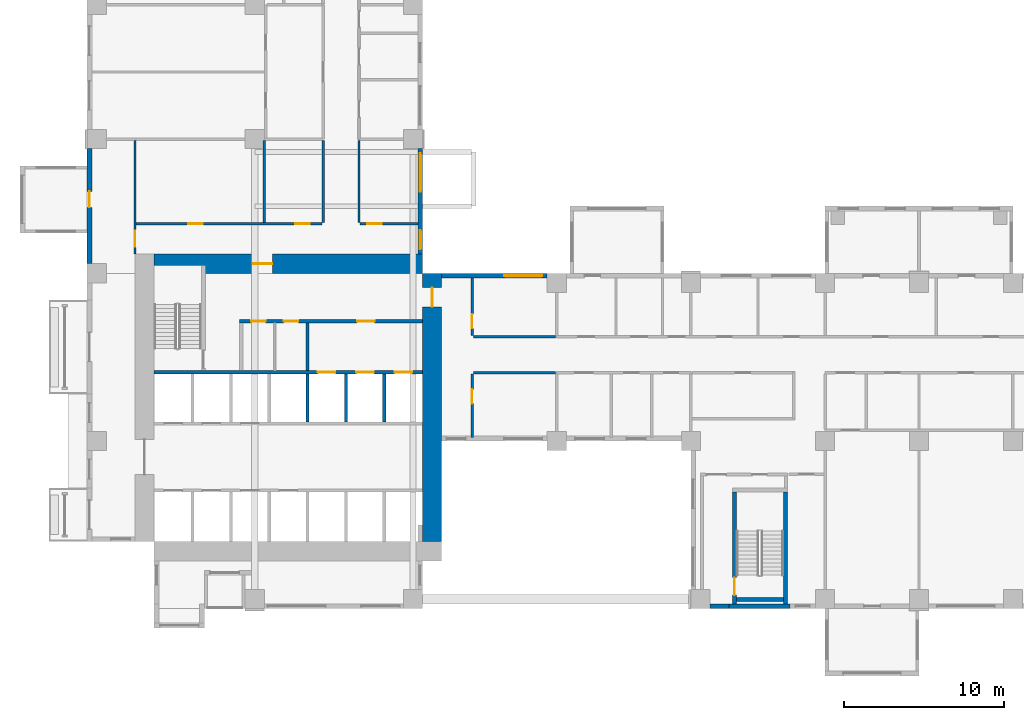
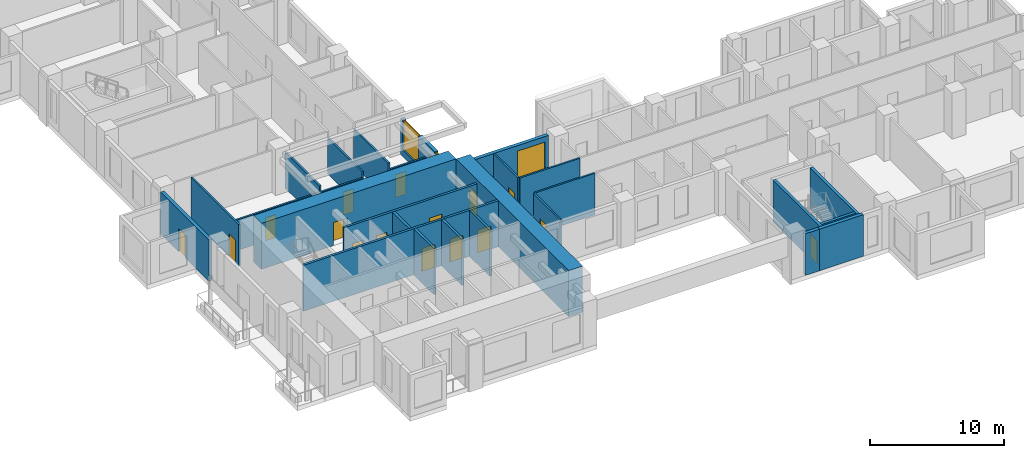
# One storey, part 3 of 14: 26 walls, 16 doors, 3 windows, 19 openings.
"""IFC4 building model written with IfcOpenShell, lengths in metres."""

from ifc_helpers import new_model, si_unit, direction, frame, frame_2d, origin, place, context, subcontext, project, spatial, rectangle, extrude, source, transform, mapped, material, layer, layer_set, type_object, element, fill, save


model = new_model("IFC4")

# Units and contexts
model_context = context("Model", 3, precision=1e-05, world=origin(), true_north=direction((0.0, 1.0)))
body_context = subcontext(model_context, "Body", "Model", "MODEL_VIEW")
ifc_project = project(units=[si_unit("LENGTHUNIT", "METRE"), si_unit("AREAUNIT", "SQUARE_METRE"), si_unit("VOLUMEUNIT", "CUBIC_METRE"), si_unit("PLANEANGLEUNIT", "RADIAN"), si_unit("MASSUNIT", "GRAM", prefix="KILO")], contexts=[model_context])

# Site, building, storey
site_placement = place(None, origin())
site = spatial("IfcSite", under=ifc_project, at=site_placement, CompositionType="ELEMENT")
building_placement = place(site_placement, origin())
building = spatial("IfcBuilding", under=site, at=building_placement, Name="Aurelian Terraces", CompositionType="ELEMENT")
storey_placement = place(building_placement, frame((0.0, 0.0, 57.3)))
storey = spatial("IfcBuildingStorey", under=building, at=storey_placement, Name="L11", CompositionType="ELEMENT", Elevation=57.3)

# Wall, openings, windows
ifc_material_1 = material(Name="Terracotta rainscreen cladding", Category="masonry")
ifc_layer_1 = layer(ifc_material_1, 0.3)
ifc_layer_set_1 = layer_set([ifc_layer_1], Name="EW-300")
wall_type_1 = type_object("IfcWallType", Name="EW-300", PredefinedType="STANDARD", material=ifc_layer_set_1)
wall_1_placement = place(storey_placement, frame((20.85, 22.2, 0.0), z_axis=(0.0, 0.0, 1.0), x_axis=(0.0, 1.0, 0.0)))
wall_1 = element("IfcWall", 1, at=wall_1_placement, inside=storey, type_object=wall_type_1, Name="External wall L11 F12.25", PredefinedType="STANDARD", context=body_context, shape_type="SweptSolid", body=[
    extrude(rectangle(XDim=6.6, YDim=0.3, at=frame_2d((3.3, 0.0))), origin(), (0.0, 0.0, 1.0), 3.3),
])
shared_shape_1 = source(origin(), body_context, "Body", "SweptSolid", [
    extrude(rectangle(XDim=1.2, YDim=2.7, at=frame_2d((0.6, 1.35))), frame((0.0, 0.16, 0.0), z_axis=(0.0, -1.0, 0.0), x_axis=(1.0, 0.0, 0.0)), (0.0, 0.0, 1.0), 0.32),
])
opening_1_placement = place(wall_1_placement, frame((0.3, 0.0, 0.6)))
opening_1 = element("IfcOpeningElement", 2, at=opening_1_placement, cuts=wall_1, Name="Opening W1227", PredefinedType="OPENING", context=body_context, shape_type="MappedRepresentation", body=[
    mapped(shared_shape_1, transform((0.0, 0.0, 0.0), scale=1.0)),
])
shared_shape_2 = source(origin(), body_context, "Body", "SweptSolid", [
    extrude(rectangle(XDim=2.4, YDim=2.7, at=frame_2d((1.2, 1.35))), frame((0.0, 0.16, 0.0), z_axis=(0.0, -1.0, 0.0), x_axis=(1.0, 0.0, 0.0)), (0.0, 0.0, 1.0), 0.32),
])
opening_2_placement = place(wall_1_placement, frame((3.9, 0.0, 0.6)))
opening_2 = element("IfcOpeningElement", 3, at=opening_2_placement, cuts=wall_1, Name="Opening W2427", PredefinedType="OPENING", context=body_context, shape_type="MappedRepresentation", body=[
    mapped(shared_shape_2, transform((0.0, 0.0, 0.0), scale=1.0)),
])
ifc_material_2 = material(Name="Clear glazing", Category="glass")
window_type_1 = type_object("IfcWindowType", Name="W-2400x2700", PartitioningType="SINGLE_PANEL", PredefinedType="WINDOW", material=ifc_material_2)
shared_shape_3 = source(origin(), body_context, "Body", "SweptSolid", [
    extrude(rectangle(XDim=2.4, YDim=2.7, at=frame_2d((1.2, 1.35))), frame((0.0, 0.03, 0.0), z_axis=(0.0, -1.0, 0.0), x_axis=(1.0, 0.0, 0.0)), (0.0, 0.0, 1.0), 0.06),
])
window_1_placement = place(opening_2_placement, origin())
window_1 = element("IfcWindow", 4, at=window_1_placement, inside=storey, type_object=window_type_1, Name="Window L11 L11-F12-25-1", OverallHeight=2.7, OverallWidth=2.4, PartitioningType="SINGLE_PANEL", PredefinedType="WINDOW", context=body_context, shape_type="MappedRepresentation", body=[
    mapped(shared_shape_3, transform((0.0, 0.0, 0.0), scale=1.0)),
])
fill(opening_2, window_1)
window_type_2 = type_object("IfcWindowType", Name="W-1200x2700", PartitioningType="SINGLE_PANEL", PredefinedType="WINDOW", material=ifc_material_2)
shared_shape_4 = source(origin(), body_context, "Body", "SweptSolid", [
    extrude(rectangle(XDim=1.2, YDim=2.7, at=frame_2d((0.6, 1.35))), frame((0.0, 0.03, 0.0), z_axis=(0.0, -1.0, 0.0), x_axis=(1.0, 0.0, 0.0)), (0.0, 0.0, 1.0), 0.06),
])
window_2_placement = place(opening_1_placement, origin())
window_2 = element("IfcWindow", 5, at=window_2_placement, inside=storey, type_object=window_type_2, Name="Window L11 L11-F12-25-0", OverallHeight=2.7, OverallWidth=1.2, PartitioningType="SINGLE_PANEL", PredefinedType="WINDOW", context=body_context, shape_type="MappedRepresentation", body=[
    mapped(shared_shape_4, transform((0.0, 0.0, 0.0), scale=1.0)),
])
fill(opening_1, window_2)

# Wall, opening, door
ifc_material_3 = material(Name="Gypsum board on steel studs", Category="steel")
ifc_layer_2 = layer(ifc_material_3, 0.15)
ifc_layer_set_2 = layer_set([ifc_layer_2], Name="Partition 150")
wall_type_2 = type_object("IfcWallType", Name="Partition 150", PredefinedType="PARTITIONING", material=ifc_layer_set_2)
wall_2_placement = place(storey_placement, frame((24.1, 14.7, 0.0), z_axis=(0.0, 0.0, 1.0), x_axis=(0.0, -1.0, 0.0)))
wall_2 = element("IfcWall", 6, at=wall_2_placement, inside=storey, type_object=wall_type_2, Name="Partition", PredefinedType="PARTITIONING", context=body_context, shape_type="SweptSolid", body=[
    extrude(rectangle(XDim=3.995, YDim=0.15, at=frame_2d((1.9975, 0.0))), origin(), (0.0, 0.0, 1.0), 3.8),
])
shared_shape_5 = source(origin(), body_context, "Body", "SweptSolid", [
    extrude(rectangle(XDim=0.9, YDim=2.1, at=frame_2d((0.45, 1.05))), frame((0.0, 0.085, 0.0), z_axis=(0.0, -1.0, 0.0), x_axis=(1.0, 0.0, 0.0)), (0.0, 0.0, 1.0), 0.17),
])
opening_3_placement = place(wall_2_placement, frame((0.9625, 0.0, 0.0)))
opening_3 = element("IfcOpeningElement", 7, at=opening_3_placement, cuts=wall_2, Name="Opening 711001", PredefinedType="OPENING", context=body_context, shape_type="MappedRepresentation", body=[
    mapped(shared_shape_5, transform((0.0, 0.0, 0.0), scale=1.0)),
])
ifc_material_4 = material(Name="Timber door leaf", Category="wood")
door_type_1 = type_object("IfcDoorType", Name="Room door 900x2100 right", OperationType="SINGLE_SWING_RIGHT", PredefinedType="DOOR", material=ifc_material_4)
shared_shape_6 = source(origin(), body_context, "Body", "SweptSolid", [
    extrude(rectangle(XDim=0.9, YDim=2.1, at=frame_2d((0.45, 1.05))), frame((0.0, 0.025, 0.0), z_axis=(0.0, -1.0, 0.0), x_axis=(1.0, 0.0, 0.0)), (0.0, 0.0, 1.0), 0.05),
])
door_1_placement = place(opening_3_placement, origin())
door_1 = element("IfcDoor", 8, at=door_1_placement, inside=storey, type_object=door_type_1, Name="Door 711001", OperationType="SINGLE_SWING_RIGHT", OverallHeight=2.1, OverallWidth=0.9, PredefinedType="DOOR", context=body_context, shape_type="MappedRepresentation", body=[
    mapped(shared_shape_6, transform((0.0, 0.0, 0.0), scale=1.0)),
])
fill(opening_3, door_1)

# Wall, openings, doors
wall_3_placement = place(storey_placement, frame((3.075, 24.1, 0.0), z_axis=(0.0, 0.0, 1.0), x_axis=(1.0, 0.0, 0.0)))
wall_3 = element("IfcWall", 9, at=wall_3_placement, inside=storey, type_object=wall_type_2, Name="Partition", PredefinedType="PARTITIONING", context=body_context, shape_type="SweptSolid", body=[
    extrude(rectangle(XDim=11.625, YDim=0.15, at=frame_2d((5.8125, 0.0))), origin(), (0.0, 0.0, 1.0), 2.8),
])
opening_4_placement = place(wall_3_placement, frame((3.2625, 0.0, 0.0)))
opening_4 = element("IfcOpeningElement", 10, at=opening_4_placement, cuts=wall_3, Name="Opening 711026", PredefinedType="OPENING", context=body_context, shape_type="MappedRepresentation", body=[
    mapped(shared_shape_5, transform((0.0, 0.0, 0.0), scale=1.0)),
])
opening_5_placement = place(wall_3_placement, frame((9.95, 0.0, 0.0)))
opening_5 = element("IfcOpeningElement", 11, at=opening_5_placement, cuts=wall_3, Name="Opening 711027", PredefinedType="OPENING", context=body_context, shape_type="MappedRepresentation", body=[
    mapped(shared_shape_5, transform((0.0, 0.0, 0.0), scale=1.0)),
])
door_type_2 = type_object("IfcDoorType", Name="Room door 900x2100 left", OperationType="SINGLE_SWING_LEFT", PredefinedType="DOOR", material=ifc_material_4)
door_2_placement = place(opening_4_placement, origin())
door_2 = element("IfcDoor", 12, at=door_2_placement, inside=storey, type_object=door_type_2, Name="Door 711026", OperationType="SINGLE_SWING_LEFT", OverallHeight=2.1, OverallWidth=0.9, PredefinedType="DOOR", context=body_context, shape_type="MappedRepresentation", body=[
    mapped(shared_shape_6, transform((0.0, 0.0, 0.0), scale=1.0)),
])
fill(opening_4, door_2)
door_3_placement = place(opening_5_placement, origin())
door_3 = element("IfcDoor", 13, at=door_3_placement, inside=storey, type_object=door_type_1, Name="Door 711027", OperationType="SINGLE_SWING_RIGHT", OverallHeight=2.1, OverallWidth=0.9, PredefinedType="DOOR", context=body_context, shape_type="MappedRepresentation", body=[
    mapped(shared_shape_6, transform((0.0, 0.0, 0.0), scale=1.0)),
])
fill(opening_5, door_3)

# Wall, opening, door
ifc_material_5 = material(Name="Concrete fc' 83 MPa", Category="concrete")
ifc_layer_3 = layer(ifc_material_5, 1.2)
ifc_layer_set_3 = layer_set([ifc_layer_3], Name="CORE WALL 1200 FC83")
wall_type_3 = type_object("IfcWallType", Name="CORE WALL 1200 FC83", PredefinedType="SHEAR", material=ifc_layer_set_3)
shared_shape_7 = source(origin(), body_context, "Body", "SweptSolid", [
    extrude(rectangle(XDim=16.8, YDim=1.2, at=frame_2d((8.4, 0.0))), origin(), (0.0, 0.0, 1.0), 4.2),
])
wall_4_placement = place(storey_placement, frame((21.6, 4.2, 0.0), z_axis=(0.0, 0.0, 1.0), x_axis=(0.0, 1.0, 0.0)))
wall_4 = element("IfcWall", 14, at=wall_4_placement, inside=storey, type_object=wall_type_3, Name="Core wall E L11", PredefinedType="SHEAR", context=body_context, shape_type="MappedRepresentation", body=[
    mapped(shared_shape_7, transform((0.0, 0.0, 0.0), scale=1.0)),
])
shared_shape_8 = source(origin(), body_context, "Body", "SweptSolid", [
    extrude(rectangle(XDim=1.2, YDim=2.1, at=frame_2d((0.6, 1.05))), frame((0.0, 0.61, 0.0), z_axis=(0.0, -1.0, 0.0), x_axis=(1.0, 0.0, 0.0)), (0.0, 0.0, 1.0), 1.22),
])
opening_6_placement = place(wall_4_placement, frame((14.7, 0.0, 0.0)))
opening_6 = element("IfcOpeningElement", 15, at=opening_6_placement, cuts=wall_4, Name="Opening 61422", PredefinedType="OPENING", context=body_context, shape_type="MappedRepresentation", body=[
    mapped(shared_shape_8, transform((0.0, 0.0, 0.0), scale=1.0)),
])
ifc_material_6 = material(Name="Steel door leaf", Category="steel")
door_type_3 = type_object("IfcDoorType", Name="Core fire door 1200x2100", OperationType="SINGLE_SWING_LEFT", PredefinedType="DOOR", material=ifc_material_6)
shared_shape_9 = source(origin(), body_context, "Body", "SweptSolid", [
    extrude(rectangle(XDim=1.2, YDim=2.1, at=frame_2d((0.6, 1.05))), frame((0.0, 0.025, 0.0), z_axis=(0.0, -1.0, 0.0), x_axis=(1.0, 0.0, 0.0)), (0.0, 0.0, 1.0), 0.05),
])
door_4_placement = place(opening_6_placement, origin())
door_4 = element("IfcDoor", 16, at=door_4_placement, inside=storey, type_object=door_type_3, Name="Core door 61422", OperationType="SINGLE_SWING_LEFT", OverallHeight=2.1, OverallWidth=1.2, PredefinedType="DOOR", context=body_context, shape_type="MappedRepresentation", body=[
    mapped(shared_shape_9, transform((0.0, 0.0, 0.0), scale=1.0)),
])
fill(opening_6, door_4)

wall_5_placement = place(storey_placement, frame((4.2, 21.6, 0.0), z_axis=(0.0, 0.0, 1.0), x_axis=(1.0, 0.0, 0.0)))
wall_5 = element("IfcWall", 17, at=wall_5_placement, inside=storey, type_object=wall_type_3, Name="Core wall N L11", PredefinedType="SHEAR", context=body_context, shape_type="MappedRepresentation", body=[
    mapped(shared_shape_7, transform((0.0, 0.0, 0.0), scale=1.0)),
])
opening_7_placement = place(wall_5_placement, frame((6.2, 0.0, 0.0)))
opening_7 = element("IfcOpeningElement", 18, at=opening_7_placement, cuts=wall_5, Name="Opening 61421", PredefinedType="OPENING", context=body_context, shape_type="MappedRepresentation", body=[
    mapped(shared_shape_8, transform((0.0, 0.0, 0.0), scale=1.0)),
])
door_type_4 = type_object("IfcDoorType", Name="Core fire door 1200x2100 right", OperationType="SINGLE_SWING_RIGHT", PredefinedType="DOOR", material=ifc_material_6)
door_5_placement = place(opening_7_placement, origin())
door_5 = element("IfcDoor", 19, at=door_5_placement, inside=storey, type_object=door_type_4, Name="Core door 61421", OperationType="SINGLE_SWING_RIGHT", OverallHeight=2.1, OverallWidth=1.2, PredefinedType="DOOR", context=body_context, shape_type="MappedRepresentation", body=[
    mapped(shared_shape_9, transform((0.0, 0.0, 0.0), scale=1.0)),
])
fill(opening_7, door_5)

shared_shape_10 = source(origin(), body_context, "Body", "SweptSolid", [
    extrude(rectangle(XDim=7.2, YDim=0.3, at=frame_2d((3.6, 0.0))), origin(), (0.0, 0.0, 1.0), 3.8),
])
wall_6_placement = place(storey_placement, frame((0.15, 28.8, 0.0), z_axis=(0.0, 0.0, 1.0), x_axis=(0.0, -1.0, 0.0)))
wall_6 = element("IfcWall", 20, at=wall_6_placement, inside=storey, type_object=wall_type_1, Name="External wall L11 F18.39", PredefinedType="STANDARD", context=body_context, shape_type="MappedRepresentation", body=[
    mapped(shared_shape_10, transform((0.0, 0.0, 0.0), scale=1.0)),
])
shared_shape_11 = source(origin(), body_context, "Body", "SweptSolid", [
    extrude(rectangle(XDim=1.0, YDim=2.1, at=frame_2d((0.5, 1.05))), frame((0.0, 0.16, 0.0), z_axis=(0.0, -1.0, 0.0), x_axis=(1.0, 0.0, 0.0)), (0.0, 0.0, 1.0), 0.32),
])
opening_8_placement = place(wall_6_placement, frame((2.68, 0.0, 0.0)))
opening_8 = element("IfcOpeningElement", 21, at=opening_8_placement, cuts=wall_6, Name="Opening 811004", PredefinedType="OPENING", context=body_context, shape_type="MappedRepresentation", body=[
    mapped(shared_shape_11, transform((0.0, 0.0, 0.0), scale=1.0)),
])
door_type_5 = type_object("IfcDoorType", Name="Room door 1000x2100 left", OperationType="SINGLE_SWING_LEFT", PredefinedType="DOOR", material=ifc_material_4)
shared_shape_12 = source(origin(), body_context, "Body", "SweptSolid", [
    extrude(rectangle(XDim=1.0, YDim=2.1, at=frame_2d((0.5, 1.05))), frame((0.0, 0.025, 0.0), z_axis=(0.0, -1.0, 0.0), x_axis=(1.0, 0.0, 0.0)), (0.0, 0.0, 1.0), 0.05),
])
door_6_placement = place(opening_8_placement, origin())
door_6 = element("IfcDoor", 22, at=door_6_placement, inside=storey, type_object=door_type_5, Name="Door 811004", OperationType="SINGLE_SWING_LEFT", OverallHeight=2.1, OverallWidth=1.0, PredefinedType="DOOR", context=body_context, shape_type="MappedRepresentation", body=[
    mapped(shared_shape_12, transform((0.0, 0.0, 0.0), scale=1.0)),
])
fill(opening_8, door_6)

# Walls
shared_shape_13 = source(origin(), body_context, "Body", "SweptSolid", [
    extrude(rectangle(XDim=1.2, YDim=0.3, at=frame_2d((0.6, 0.0))), origin(), (0.0, 0.0, 1.0), 3.8),
])
wall_7_placement = place(storey_placement, frame((39.0, 0.15, 0.0), z_axis=(0.0, 0.0, 1.0), x_axis=(1.0, 0.0, 0.0)))
element("IfcWall", 23, at=wall_7_placement, inside=storey, type_object=wall_type_1, Name="External wall L11 F05.9", PredefinedType="STANDARD", context=body_context, shape_type="MappedRepresentation", body=[
    mapped(shared_shape_13, transform((0.0, 0.0, 0.0), scale=1.0)),
])
ifc_material_7 = material(Name="Concrete fc' 40 MPa", Category="concrete")
ifc_layer_4 = layer(ifc_material_7, 0.3)
ifc_layer_set_4 = layer_set([ifc_layer_4], Name="STAIR BAY WALL 300")
wall_type_4 = type_object("IfcWallType", Name="STAIR BAY WALL 300", PredefinedType="SOLIDWALL", material=ifc_layer_set_4)
shared_shape_14 = source(origin(), body_context, "Body", "SweptSolid", [
    extrude(rectangle(XDim=3.8, YDim=0.3, at=frame_2d((1.9, 0.0))), origin(), (0.0, 0.0, 1.0), 3.8),
])
wall_8_placement = place(storey_placement, frame((40.2, 0.15, 0.0), z_axis=(0.0, 0.0, 1.0), x_axis=(1.0, 0.0, 0.0)))
element("IfcWall", 24, at=wall_8_placement, inside=storey, type_object=wall_type_4, Name="Stair bay wall L11 F05.9", PredefinedType="SOLIDWALL", context=body_context, shape_type="MappedRepresentation", body=[
    mapped(shared_shape_14, transform((0.0, 0.0, 0.0), scale=1.0)),
])

# Wall, opening, window
shared_shape_15 = source(origin(), body_context, "Body", "SweptSolid", [
    extrude(rectangle(XDim=6.6, YDim=0.3, at=frame_2d((3.3, 0.0))), origin(), (0.0, 0.0, 1.0), 3.8),
])
wall_9_placement = place(storey_placement, frame((28.8, 20.85, 0.0), z_axis=(0.0, 0.0, 1.0), x_axis=(-1.0, 0.0, 0.0)))
wall_9 = element("IfcWall", 25, at=wall_9_placement, inside=storey, type_object=wall_type_1, Name="External wall L11 F11.24", PredefinedType="STANDARD", context=body_context, shape_type="MappedRepresentation", body=[
    mapped(shared_shape_15, transform((0.0, 0.0, 0.0), scale=1.0)),
])
opening_9_placement = place(wall_9_placement, frame((0.3, 0.0, 0.6)))
opening_9 = element("IfcOpeningElement", 26, at=opening_9_placement, cuts=wall_9, Name="Opening W2427", PredefinedType="OPENING", context=body_context, shape_type="MappedRepresentation", body=[
    mapped(shared_shape_2, transform((0.0, 0.0, 0.0), scale=1.0)),
])
window_3_placement = place(opening_9_placement, origin())
window_3 = element("IfcWindow", 27, at=window_3_placement, inside=storey, type_object=window_type_1, Name="Window L11 L11-F11-24-3", OverallHeight=2.7, OverallWidth=2.4, PartitioningType="SINGLE_PANEL", PredefinedType="WINDOW", context=body_context, shape_type="MappedRepresentation", body=[
    mapped(shared_shape_3, transform((0.0, 0.0, 0.0), scale=1.0)),
])
fill(opening_9, window_3)

# Walls
ifc_layer_5 = layer(ifc_material_7, 0.2)
ifc_layer_set_5 = layer_set([ifc_layer_5], Name="Lift shaft wall 200")
wall_type_5 = type_object("IfcWallType", Name="Lift shaft wall 200", PredefinedType="SOLIDWALL", material=ifc_layer_set_5)
shared_shape_16 = source(origin(), body_context, "Body", "SweptSolid", [
    extrude(rectangle(XDim=3.0, YDim=0.2, at=frame_2d((1.5, 0.0))), origin(), (0.0, 0.0, 1.0), 4.2),
])
for number, where, z_axis, x_axis, name in (
    (28, (13.8, 11.7, 0.0), (0.0, 0.0, 1.0), (0.0, 1.0, 0.0), "L11 core wall CD-B4"),
    (29, (16.2, 11.7, 0.0), (0.0, 0.0, 1.0), (0.0, 1.0, 0.0), "L11 core wall CD-B5"),
    (30, (18.6, 11.7, 0.0), (0.0, 0.0, 1.0), (0.0, 1.0, 0.0), "L11 core wall CD-B6"),
):
    element("IfcWall", number, at=place(storey_placement, frame(where, z_axis=z_axis, x_axis=x_axis)), inside=storey, type_object=wall_type_5, Name=name, PredefinedType="SOLIDWALL", context=body_context, shape_type="MappedRepresentation", body=[
        mapped(shared_shape_16, transform((0.0, 0.0, 0.0), scale=1.0)),
    ])

# Wall, openings, doors
shared_shape_17 = source(origin(), body_context, "Body", "SweptSolid", [
    extrude(rectangle(XDim=16.8, YDim=0.2, at=frame_2d((8.4, 0.0))), origin(), (0.0, 0.0, 1.0), 4.2),
])
wall_10_placement = place(storey_placement, frame((4.2, 14.8, 0.0), z_axis=(0.0, 0.0, 1.0), x_axis=(1.0, 0.0, 0.0)))
wall_10 = element("IfcWall", 31, at=wall_10_placement, inside=storey, type_object=wall_type_5, Name="L11 core wall CF-BB1", PredefinedType="SOLIDWALL", context=body_context, shape_type="MappedRepresentation", body=[
    mapped(shared_shape_17, transform((0.0, 0.0, 0.0), scale=1.0)),
])
shared_shape_18 = source(origin(), body_context, "Body", "SweptSolid", [
    extrude(rectangle(XDim=1.1, YDim=2.1, at=frame_2d((0.55, 1.05))), frame((0.0, 0.11, 0.0), z_axis=(0.0, -1.0, 0.0), x_axis=(1.0, 0.0, 0.0)), (0.0, 0.0, 1.0), 0.22),
])
opening_10_placement = place(wall_10_placement, frame((10.25, 0.0, 0.0)))
opening_10 = element("IfcOpeningElement", 32, at=opening_10_placement, cuts=wall_10, Name="Opening 61407", PredefinedType="OPENING", context=body_context, shape_type="MappedRepresentation", body=[
    mapped(shared_shape_18, transform((0.0, 0.0, 0.0), scale=1.0)),
])
opening_11_placement = place(wall_10_placement, frame((12.65, 0.0, 0.0)))
opening_11 = element("IfcOpeningElement", 33, at=opening_11_placement, cuts=wall_10, Name="Opening 61408", PredefinedType="OPENING", context=body_context, shape_type="MappedRepresentation", body=[
    mapped(shared_shape_18, transform((0.0, 0.0, 0.0), scale=1.0)),
])
opening_12_placement = place(wall_10_placement, frame((15.05, 0.0, 0.0)))
opening_12 = element("IfcOpeningElement", 34, at=opening_12_placement, cuts=wall_10, Name="Opening 61409", PredefinedType="OPENING", context=body_context, shape_type="MappedRepresentation", body=[
    mapped(shared_shape_18, transform((0.0, 0.0, 0.0), scale=1.0)),
])
ifc_material_8 = material(Name="Stainless steel", Category="steel")
door_type_6 = type_object("IfcDoorType", Name="Lift landing door 1100x2100", OperationType="SLIDING_TO_LEFT", PredefinedType="DOOR", material=ifc_material_8)
shared_shape_19 = source(origin(), body_context, "Body", "SweptSolid", [
    extrude(rectangle(XDim=1.1, YDim=2.1, at=frame_2d((0.55, 1.05))), frame((0.0, 0.025, 0.0), z_axis=(0.0, -1.0, 0.0), x_axis=(1.0, 0.0, 0.0)), (0.0, 0.0, 1.0), 0.05),
])
door_7_placement = place(opening_10_placement, origin())
door_7 = element("IfcDoor", 35, at=door_7_placement, inside=storey, type_object=door_type_6, Name="Lift landing door F1 L11", OperationType="SLIDING_TO_LEFT", OverallHeight=2.1, OverallWidth=1.1, PredefinedType="DOOR", context=body_context, shape_type="MappedRepresentation", body=[
    mapped(shared_shape_19, transform((0.0, 0.0, 0.0), scale=1.0)),
])
fill(opening_10, door_7)
door_8_placement = place(opening_11_placement, origin())
door_8 = element("IfcDoor", 36, at=door_8_placement, inside=storey, type_object=door_type_6, Name="Lift landing door F2 L11", OperationType="SLIDING_TO_LEFT", OverallHeight=2.1, OverallWidth=1.1, PredefinedType="DOOR", context=body_context, shape_type="MappedRepresentation", body=[
    mapped(shared_shape_19, transform((0.0, 0.0, 0.0), scale=1.0)),
])
fill(opening_11, door_8)
door_9_placement = place(opening_12_placement, origin())
door_9 = element("IfcDoor", 37, at=door_9_placement, inside=storey, type_object=door_type_6, Name="Lift landing door F3 L11", OperationType="SLIDING_TO_LEFT", OverallHeight=2.1, OverallWidth=1.1, PredefinedType="DOOR", context=body_context, shape_type="MappedRepresentation", body=[
    mapped(shared_shape_19, transform((0.0, 0.0, 0.0), scale=1.0)),
])
fill(opening_12, door_9)

# Wall
ifc_layer_6 = layer(ifc_material_3, 0.2)
ifc_layer_set_6 = layer_set([ifc_layer_6], Name="Core partition 200")
wall_type_6 = type_object("IfcWallType", Name="Core partition 200", PredefinedType="PARTITIONING", material=ifc_layer_set_6)
shared_shape_20 = source(origin(), body_context, "Body", "SweptSolid", [
    extrude(rectangle(XDim=3.0, YDim=0.2, at=frame_2d((1.5, 0.0))), origin(), (0.0, 0.0, 1.0), 3.8),
])
wall_11_placement = place(storey_placement, frame((13.8, 14.9, 0.0), z_axis=(0.0, 0.0, 1.0), x_axis=(0.0, 1.0, 0.0)))
element("IfcWall", 38, at=wall_11_placement, inside=storey, type_object=wall_type_6, Name="L11 core wall CP-FFL", PredefinedType="PARTITIONING", context=body_context, shape_type="MappedRepresentation", body=[
    mapped(shared_shape_20, transform((0.0, 0.0, 0.0), scale=1.0)),
])

# Wall, opening, door
ifc_layer_7 = layer(ifc_material_7, 0.25)
ifc_layer_set_7 = layer_set([ifc_layer_7], Name="Stair enclosure wall 250")
wall_type_7 = type_object("IfcWallType", Name="Stair enclosure wall 250", PredefinedType="SOLIDWALL", material=ifc_layer_set_7)
shared_shape_21 = source(origin(), body_context, "Body", "SweptSolid", [
    extrude(rectangle(XDim=7.0, YDim=0.25, at=frame_2d((3.5, 0.0))), origin(), (0.0, 0.0, 1.0), 3.8),
])
wall_12_placement = place(storey_placement, frame((40.525, 0.3, 0.0), z_axis=(0.0, 0.0, 1.0), x_axis=(0.0, 1.0, 0.0)))
wall_12 = element("IfcWall", 39, at=wall_12_placement, inside=storey, type_object=wall_type_7, Name="L11 core wall ST-S2-W", PredefinedType="SOLIDWALL", context=body_context, shape_type="MappedRepresentation", body=[
    mapped(shared_shape_21, transform((0.0, 0.0, 0.0), scale=1.0)),
])
shared_shape_22 = source(origin(), body_context, "Body", "SweptSolid", [
    extrude(rectangle(XDim=1.1, YDim=2.1, at=frame_2d((0.55, 1.05))), frame((0.0, 0.135, 0.0), z_axis=(0.0, -1.0, 0.0), x_axis=(1.0, 0.0, 0.0)), (0.0, 0.0, 1.0), 0.27),
])
opening_13_placement = place(wall_12_placement, frame((0.55, 0.0, 0.0)))
opening_13 = element("IfcOpeningElement", 40, at=opening_13_placement, cuts=wall_12, Name="Opening 61414", PredefinedType="OPENING", context=body_context, shape_type="MappedRepresentation", body=[
    mapped(shared_shape_22, transform((0.0, 0.0, 0.0), scale=1.0)),
])
door_type_7 = type_object("IfcDoorType", Name="Core fire door 1100x2100", OperationType="SINGLE_SWING_LEFT", PredefinedType="DOOR", material=ifc_material_6)
door_10_placement = place(opening_13_placement, origin())
door_10 = element("IfcDoor", 41, at=door_10_placement, inside=storey, type_object=door_type_7, Name="Stair door 61414", OperationType="SINGLE_SWING_LEFT", OverallHeight=2.1, OverallWidth=1.1, PredefinedType="DOOR", context=body_context, shape_type="MappedRepresentation", body=[
    mapped(shared_shape_19, transform((0.0, 0.0, 0.0), scale=1.0)),
])
fill(opening_13, door_10)

# Walls
wall_13_placement = place(storey_placement, frame((43.725, 0.3, 0.0), z_axis=(0.0, 0.0, 1.0), x_axis=(0.0, 1.0, 0.0)))
element("IfcWall", 42, at=wall_13_placement, inside=storey, type_object=wall_type_7, Name="L11 core wall ST-S2-E", PredefinedType="SOLIDWALL", context=body_context, shape_type="MappedRepresentation", body=[
    mapped(shared_shape_21, transform((0.0, 0.0, 0.0), scale=1.0)),
])
shared_shape_23 = source(origin(), body_context, "Body", "SweptSolid", [
    extrude(rectangle(XDim=2.95, YDim=0.25, at=frame_2d((1.475, 0.0))), origin(), (0.0, 0.0, 1.0), 3.8),
])
wall_14_placement = place(storey_placement, frame((40.65, 0.575, 0.0), z_axis=(0.0, 0.0, 1.0), x_axis=(1.0, 0.0, 0.0)))
element("IfcWall", 43, at=wall_14_placement, inside=storey, type_object=wall_type_7, Name="L11 core wall ST-S2-SS", PredefinedType="SOLIDWALL", context=body_context, shape_type="MappedRepresentation", body=[
    mapped(shared_shape_23, transform((0.0, 0.0, 0.0), scale=1.0)),
])

# Wall, openings, doors
shared_shape_24 = source(origin(), body_context, "Body", "SweptSolid", [
    extrude(rectangle(XDim=11.45, YDim=0.2, at=frame_2d((5.725, 0.0))), origin(), (0.0, 0.0, 1.0), 3.8),
])
wall_15_placement = place(storey_placement, frame((9.55, 18.0, 0.0), z_axis=(0.0, 0.0, 1.0), x_axis=(1.0, 0.0, 0.0)))
wall_15 = element("IfcWall", 44, at=wall_15_placement, inside=storey, type_object=wall_type_6, Name="L11 core wall CP-NORTH", PredefinedType="PARTITIONING", context=body_context, shape_type="MappedRepresentation", body=[
    mapped(shared_shape_24, transform((0.0, 0.0, 0.0), scale=1.0)),
])
shared_shape_25 = source(origin(), body_context, "Body", "SweptSolid", [
    extrude(rectangle(XDim=0.9, YDim=2.1, at=frame_2d((0.45, 1.05))), frame((0.0, 0.11, 0.0), z_axis=(0.0, -1.0, 0.0), x_axis=(1.0, 0.0, 0.0)), (0.0, 0.0, 1.0), 0.22),
])
opening_14_placement = place(wall_15_placement, frame((0.725, 0.0, 0.0)))
opening_14 = element("IfcOpeningElement", 45, at=opening_14_placement, cuts=wall_15, Name="Opening 61411", PredefinedType="OPENING", context=body_context, shape_type="MappedRepresentation", body=[
    mapped(shared_shape_25, transform((0.0, 0.0, 0.0), scale=1.0)),
])
opening_15_placement = place(wall_15_placement, frame((2.775, 0.0, 0.0)))
opening_15 = element("IfcOpeningElement", 46, at=opening_15_placement, cuts=wall_15, Name="Opening 61412", PredefinedType="OPENING", context=body_context, shape_type="MappedRepresentation", body=[
    mapped(shared_shape_25, transform((0.0, 0.0, 0.0), scale=1.0)),
])
opening_16_placement = place(wall_15_placement, frame((7.35, 0.0, 0.0)))
opening_16 = element("IfcOpeningElement", 47, at=opening_16_placement, cuts=wall_15, Name="Opening 61413", PredefinedType="OPENING", context=body_context, shape_type="MappedRepresentation", body=[
    mapped(shared_shape_18, transform((0.0, 0.0, 0.0), scale=1.0)),
])
door_type_8 = type_object("IfcDoorType", Name="Core service door 900x2100 right", OperationType="SINGLE_SWING_RIGHT", PredefinedType="DOOR", material=ifc_material_6)
door_11_placement = place(opening_14_placement, origin())
door_11 = element("IfcDoor", 48, at=door_11_placement, inside=storey, type_object=door_type_8, Name="Room door 61411", OperationType="SINGLE_SWING_RIGHT", OverallHeight=2.1, OverallWidth=0.9, PredefinedType="DOOR", context=body_context, shape_type="MappedRepresentation", body=[
    mapped(shared_shape_6, transform((0.0, 0.0, 0.0), scale=1.0)),
])
fill(opening_14, door_11)
door_type_9 = type_object("IfcDoorType", Name="Core service door 900x2100", OperationType="SINGLE_SWING_LEFT", PredefinedType="DOOR", material=ifc_material_6)
door_12_placement = place(opening_15_placement, origin())
door_12 = element("IfcDoor", 49, at=door_12_placement, inside=storey, type_object=door_type_9, Name="Room door 61412", OperationType="SINGLE_SWING_LEFT", OverallHeight=2.1, OverallWidth=0.9, PredefinedType="DOOR", context=body_context, shape_type="MappedRepresentation", body=[
    mapped(shared_shape_6, transform((0.0, 0.0, 0.0), scale=1.0)),
])
fill(opening_15, door_12)
door_type_10 = type_object("IfcDoorType", Name="Core fire door 1100x2100 right", OperationType="SINGLE_SWING_RIGHT", PredefinedType="DOOR", material=ifc_material_6)
door_13_placement = place(opening_16_placement, origin())
door_13 = element("IfcDoor", 50, at=door_13_placement, inside=storey, type_object=door_type_10, Name="Ff lobby door 61413", OperationType="SINGLE_SWING_RIGHT", OverallHeight=2.1, OverallWidth=1.1, PredefinedType="DOOR", context=body_context, shape_type="MappedRepresentation", body=[
    mapped(shared_shape_19, transform((0.0, 0.0, 0.0), scale=1.0)),
])
fill(opening_16, door_13)

# Walls
ifc_layer_8 = layer(ifc_material_3, 0.15)
ifc_layer_set_8 = layer_set([ifc_layer_8], Name="Fire partition 150")
wall_type_8 = type_object("IfcWallType", Name="Fire partition 150", PredefinedType="PARTITIONING", material=ifc_layer_set_8)
shared_shape_26 = source(origin(), body_context, "Body", "SweptSolid", [
    extrude(rectangle(XDim=5.15, YDim=0.15, at=frame_2d((2.575, 0.0))), origin(), (0.0, 0.0, 1.0), 3.8),
])
for number, where, z_axis, x_axis, name in (
    (51, (29.325, 14.775, 0.0), (0.0, 0.0, 1.0), (-1.0, 0.0, 0.0), "Corridor wall"),
    (52, (24.175, 17.025, 0.0), (0.0, 0.0, 1.0), (1.0, 0.0, 0.0), "Corridor wall"),
):
    element("IfcWall", number, at=place(storey_placement, frame(where, z_axis=z_axis, x_axis=x_axis)), inside=storey, type_object=wall_type_8, Name=name, PredefinedType="PARTITIONING", context=body_context, shape_type="MappedRepresentation", body=[
        mapped(shared_shape_26, transform((0.0, 0.0, 0.0), scale=1.0)),
    ])

# Wall, opening, door
shared_shape_27 = source(origin(), body_context, "Body", "SweptSolid", [
    extrude(rectangle(XDim=3.6, YDim=0.15, at=frame_2d((1.8, 0.0))), origin(), (0.0, 0.0, 1.0), 3.8),
])
wall_16_placement = place(storey_placement, frame((24.1, 20.7, 0.0), z_axis=(0.0, 0.0, 1.0), x_axis=(0.0, -1.0, 0.0)))
wall_16 = element("IfcWall", 53, at=wall_16_placement, inside=storey, type_object=wall_type_2, Name="Partition", PredefinedType="PARTITIONING", context=body_context, shape_type="MappedRepresentation", body=[
    mapped(shared_shape_27, transform((0.0, 0.0, 0.0), scale=1.0)),
])
opening_17_placement = place(wall_16_placement, frame((2.25, 0.0, 0.0)))
opening_17 = element("IfcOpeningElement", 54, at=opening_17_placement, cuts=wall_16, Name="Opening 711002", PredefinedType="OPENING", context=body_context, shape_type="MappedRepresentation", body=[
    mapped(shared_shape_5, transform((0.0, 0.0, 0.0), scale=1.0)),
])
door_14_placement = place(opening_17_placement, origin())
door_14 = element("IfcDoor", 55, at=door_14_placement, inside=storey, type_object=door_type_2, Name="Door 711002", OperationType="SINGLE_SWING_LEFT", OverallHeight=2.1, OverallWidth=0.9, PredefinedType="DOOR", context=body_context, shape_type="MappedRepresentation", body=[
    mapped(shared_shape_6, transform((0.0, 0.0, 0.0), scale=1.0)),
])
fill(opening_17, door_14)

shared_shape_28 = source(origin(), body_context, "Body", "SweptSolid", [
    extrude(rectangle(XDim=7.125, YDim=0.15, at=frame_2d((3.5625, 0.0))), origin(), (0.0, 0.0, 1.0), 3.8),
])
wall_17_placement = place(storey_placement, frame((3.0, 29.325, 0.0), z_axis=(0.0, 0.0, 1.0), x_axis=(0.0, -1.0, 0.0)))
wall_17 = element("IfcWall", 56, at=wall_17_placement, inside=storey, type_object=wall_type_2, Name="Partition", PredefinedType="PARTITIONING", context=body_context, shape_type="MappedRepresentation", body=[
    mapped(shared_shape_28, transform((0.0, 0.0, 0.0), scale=1.0)),
])
shared_shape_29 = source(origin(), body_context, "Body", "SweptSolid", [
    extrude(rectangle(XDim=1.0, YDim=2.1, at=frame_2d((0.5, 1.05))), frame((0.0, 0.085, 0.0), z_axis=(0.0, -1.0, 0.0), x_axis=(1.0, 0.0, 0.0)), (0.0, 0.0, 1.0), 0.17),
])
opening_18_placement = place(wall_17_placement, frame((5.675, 0.0, 0.0)))
opening_18 = element("IfcOpeningElement", 57, at=opening_18_placement, cuts=wall_17, Name="Opening 711029", PredefinedType="OPENING", context=body_context, shape_type="MappedRepresentation", body=[
    mapped(shared_shape_29, transform((0.0, 0.0, 0.0), scale=1.0)),
])
door_type_11 = type_object("IfcDoorType", Name="Room door 1000x2100 right", OperationType="SINGLE_SWING_RIGHT", PredefinedType="DOOR", material=ifc_material_4)
door_15_placement = place(opening_18_placement, origin())
door_15 = element("IfcDoor", 58, at=door_15_placement, inside=storey, type_object=door_type_11, Name="Door 711029", OperationType="SINGLE_SWING_RIGHT", OverallHeight=2.1, OverallWidth=1.0, PredefinedType="DOOR", context=body_context, shape_type="MappedRepresentation", body=[
    mapped(shared_shape_12, transform((0.0, 0.0, 0.0), scale=1.0)),
])
fill(opening_18, door_15)

shared_shape_30 = source(origin(), body_context, "Body", "SweptSolid", [
    extrude(rectangle(XDim=3.6, YDim=0.15, at=frame_2d((1.8, 0.0))), origin(), (0.0, 0.0, 1.0), 2.8),
])
wall_18_placement = place(storey_placement, frame((17.1, 24.1, 0.0), z_axis=(0.0, 0.0, 1.0), x_axis=(1.0, 0.0, 0.0)))
wall_18 = element("IfcWall", 59, at=wall_18_placement, inside=storey, type_object=wall_type_2, Name="Partition", PredefinedType="PARTITIONING", context=body_context, shape_type="MappedRepresentation", body=[
    mapped(shared_shape_30, transform((0.0, 0.0, 0.0), scale=1.0)),
])
opening_19_placement = place(wall_18_placement, frame((0.45, 0.0, 0.0)))
opening_19 = element("IfcOpeningElement", 60, at=opening_19_placement, cuts=wall_18, Name="Opening 711028", PredefinedType="OPENING", context=body_context, shape_type="MappedRepresentation", body=[
    mapped(shared_shape_5, transform((0.0, 0.0, 0.0), scale=1.0)),
])
door_16_placement = place(opening_19_placement, origin())
door_16 = element("IfcDoor", 61, at=door_16_placement, inside=storey, type_object=door_type_2, Name="Door 711028", OperationType="SINGLE_SWING_LEFT", OverallHeight=2.1, OverallWidth=0.9, PredefinedType="DOOR", context=body_context, shape_type="MappedRepresentation", body=[
    mapped(shared_shape_6, transform((0.0, 0.0, 0.0), scale=1.0)),
])
fill(opening_19, door_16)

# Walls
shared_shape_31 = source(origin(), body_context, "Body", "SweptSolid", [
    extrude(rectangle(XDim=5.15, YDim=0.15, at=frame_2d((2.575, 0.0))), origin(), (0.0, 0.0, 1.0), 3.3),
])
wall_19_placement = place(storey_placement, frame((11.1, 24.175, 0.0), z_axis=(0.0, 0.0, 1.0), x_axis=(0.0, 1.0, 0.0)))
element("IfcWall", 62, at=wall_19_placement, inside=storey, type_object=wall_type_2, Name="Partition", PredefinedType="PARTITIONING", context=body_context, shape_type="MappedRepresentation", body=[
    mapped(shared_shape_31, transform((0.0, 0.0, 0.0), scale=1.0)),
])
for number, where, z_axis, x_axis, name in (
    (63, (14.775, 24.175, 0.0), (0.0, 0.0, 1.0), (0.0, 1.0, 0.0), "Corridor wall"),
    (64, (17.025, 29.325, 0.0), (0.0, 0.0, 1.0), (0.0, -1.0, 0.0), "Corridor wall"),
):
    element("IfcWall", number, at=place(storey_placement, frame(where, z_axis=z_axis, x_axis=x_axis)), inside=storey, type_object=wall_type_8, Name=name, PredefinedType="PARTITIONING", context=body_context, shape_type="MappedRepresentation", body=[
        mapped(shared_shape_31, transform((0.0, 0.0, 0.0), scale=1.0)),
    ])

save(model, "model.ifc")
